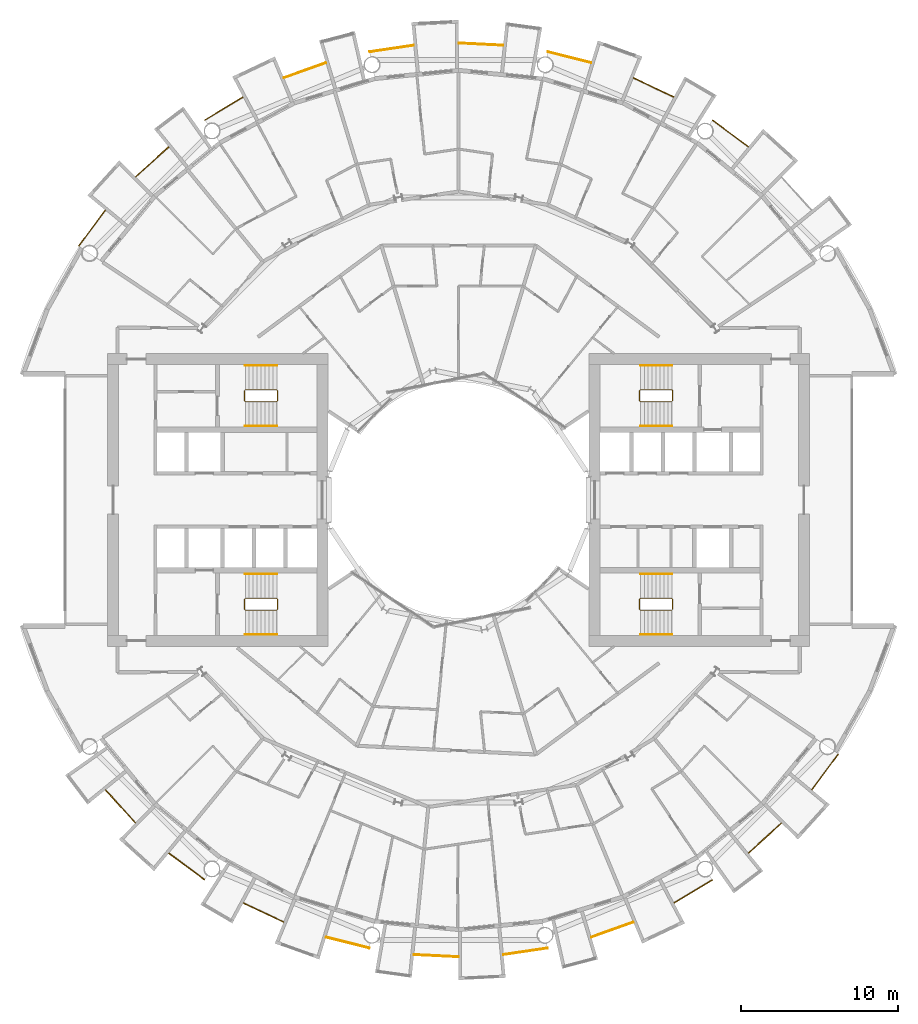
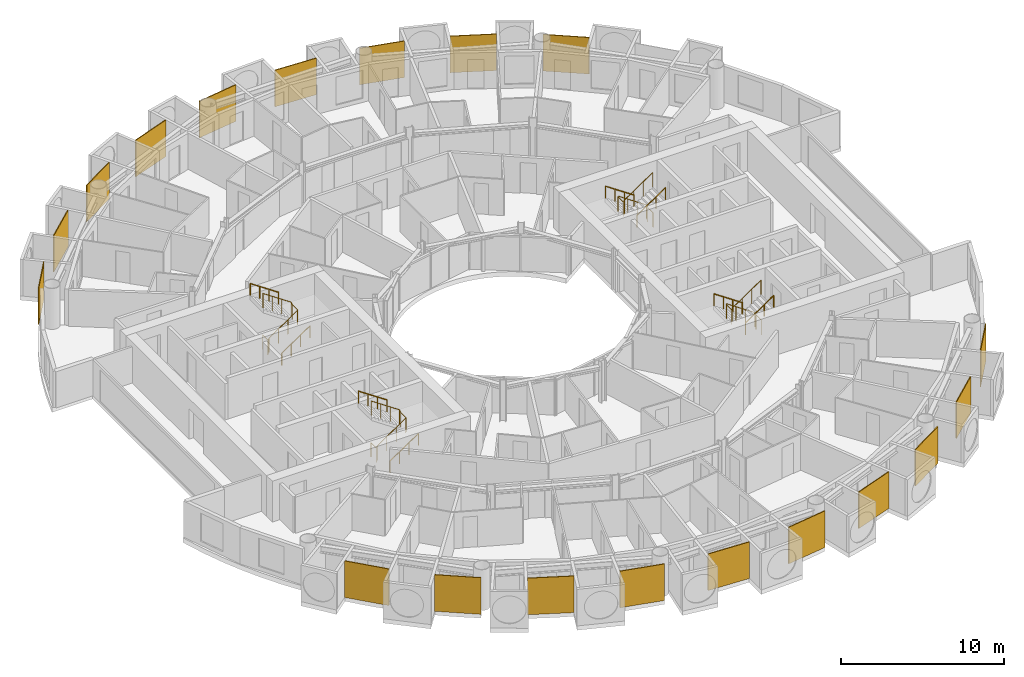
# One storey, part 25 of 26: 31 railings.
"""IFC4 building model written with IfcOpenShell, lengths in metres."""

from ifc_helpers import new_model, si_unit, direction, frame, origin, origin_2d, place, context, subcontext, project, spatial, polyline, circle, outline, extrude, material, layer, layer_set, type_object, element, save


model = new_model("IFC4")

# Units and contexts
model_context = context("Model", 3, precision=1e-05, world=origin(), true_north=direction((0.0, 1.0)))
body_context = subcontext(model_context, "Body", "Model", "MODEL_VIEW")
ifc_project = project(units=[si_unit("LENGTHUNIT", "METRE"), si_unit("AREAUNIT", "SQUARE_METRE"), si_unit("VOLUMEUNIT", "CUBIC_METRE"), si_unit("PLANEANGLEUNIT", "RADIAN"), si_unit("MASSUNIT", "GRAM", prefix="KILO")], contexts=[model_context])

# Site, building, storey
site_placement = place(None, origin())
site = spatial("IfcSite", under=ifc_project, at=site_placement, CompositionType="ELEMENT")
building_placement = place(site_placement, origin())
building = spatial("IfcBuilding", under=site, at=building_placement, Name="Maasbend Ring Residences", CompositionType="ELEMENT")
storey_placement = place(building_placement, frame((0.0, 0.0, 75.800048828125)))
storey = spatial("IfcBuildingStorey", under=building, at=storey_placement, Name="L21", CompositionType="ELEMENT", Elevation=75.800048828125)

# Railings
ifc_material_1 = material(Name="Pale anodised perforated aluminium", Category="aluminium")
ifc_layer = layer(ifc_material_1, 0.06005859375)
ifc_layer_set = layer_set([ifc_layer], Name="SCREEN-P")
railing_type_1 = type_object("IfcRailingType", Name="SCREEN-P", PredefinedType="GUARDRAIL", material=ifc_layer_set)
railing_1_placement = place(storey_placement, frame((0.0, 0.0, -0.030029296875)))
element("IfcRailing", 1, at=railing_1_placement, inside=storey, type_object=railing_type_1, Name="Perforated screen guard 2", PredefinedType="GUARDRAIL", context=body_context, shape_type="SweptSolid", body=[
    extrude(outline(polyline([(18.39697265625, 22.4169921875), (16.112060546875, 24.113037109375), (16.14697265625, 24.160888671875), (18.43310546875, 22.465087890625), (18.39697265625, 22.4169921875)])), origin(), (0.0, 0.0, 1.0), 2.72998046875),
])
railing_2_placement = place(storey_placement, frame((0.0, 0.0, -0.030029296875)))
element("IfcRailing", 2, at=railing_2_placement, inside=storey, type_object=railing_type_1, Name="Perforated screen guard 3", PredefinedType="GUARDRAIL", context=body_context, shape_type="SweptSolid", body=[
    extrude(outline(polyline([(13.6708984375, 25.575927734375), (11.097900390625, 26.79296875), (11.123046875, 26.846923828125), (13.696044921875, 25.6298828125), (13.6708984375, 25.575927734375)])), origin(), (0.0, 0.0, 1.0), 2.72998046875),
])
railing_3_placement = place(storey_placement, frame((0.0, 0.0, -0.030029296875)))
element("IfcRailing", 3, at=railing_3_placement, inside=storey, type_object=railing_type_1, Name="Perforated screen guard 4", PredefinedType="GUARDRAIL", context=body_context, shape_type="SweptSolid", body=[
    extrude(outline(polyline([(8.41796875, 27.7509765625), (5.657958984375, 28.443115234375), (5.672119140625, 28.5009765625), (8.43310546875, 27.80908203125), (8.41796875, 27.7509765625)])), origin(), (0.0, 0.0, 1.0), 2.72998046875),
])
railing_4_placement = place(storey_placement, frame((0.0, 0.0, -0.030029296875)))
element("IfcRailing", 4, at=railing_4_placement, inside=storey, type_object=railing_type_1, Name="Perforated screen guard 5", PredefinedType="GUARDRAIL", context=body_context, shape_type="SweptSolid", body=[
    extrude(outline(polyline([(2.842041015625, 28.860107421875), (0.0, 29.0), (0.0029296875, 29.06005859375), (2.844970703125, 28.919921875), (2.842041015625, 28.860107421875)])), origin(), (0.0, 0.0, 1.0), 2.72998046875),
])
railing_5_placement = place(storey_placement, frame((0.0, 0.0, -0.030029296875)))
element("IfcRailing", 5, at=railing_5_placement, inside=storey, type_object=railing_type_1, Name="Perforated screen guard 6", PredefinedType="GUARDRAIL", context=body_context, shape_type="SweptSolid", body=[
    extrude(outline(polyline([(-2.842041015625, 28.860107421875), (-5.657958984375, 28.443115234375), (-5.666015625, 28.501953125), (-2.85107421875, 28.919921875), (-2.842041015625, 28.860107421875)])), origin(), (0.0, 0.0, 1.0), 2.72998046875),
])
railing_6_placement = place(storey_placement, frame((0.0, 0.0, -0.030029296875)))
element("IfcRailing", 6, at=railing_6_placement, inside=storey, type_object=railing_type_1, Name="Perforated screen guard 7", PredefinedType="GUARDRAIL", context=body_context, shape_type="SweptSolid", body=[
    extrude(outline(polyline([(-8.41796875, 27.7509765625), (-11.097900390625, 26.79296875), (-11.117919921875, 26.84912109375), (-8.43798828125, 27.80810546875), (-8.41796875, 27.7509765625)])), origin(), (0.0, 0.0, 1.0), 2.72998046875),
])
railing_7_placement = place(storey_placement, frame((0.0, 0.0, -0.030029296875)))
element("IfcRailing", 7, at=railing_7_placement, inside=storey, type_object=railing_type_1, Name="Perforated screen guard 8", PredefinedType="GUARDRAIL", context=body_context, shape_type="SweptSolid", body=[
    extrude(outline(polyline([(-13.6708984375, 25.575927734375), (-16.112060546875, 24.113037109375), (-16.14208984375, 24.1640625), (-13.700927734375, 25.626953125), (-13.6708984375, 25.575927734375)])), origin(), (0.0, 0.0, 1.0), 2.72998046875),
])
railing_8_placement = place(storey_placement, frame((0.0, 0.0, -0.030029296875)))
element("IfcRailing", 8, at=railing_8_placement, inside=storey, type_object=railing_type_1, Name="Perforated screen guard 9", PredefinedType="GUARDRAIL", context=body_context, shape_type="SweptSolid", body=[
    extrude(outline(polyline([(-18.39697265625, 22.4169921875), (-20.506103515625, 20.506103515625), (-20.5458984375, 20.551025390625), (-18.43798828125, 22.4619140625), (-18.39697265625, 22.4169921875)])), origin(), (0.0, 0.0, 1.0), 2.72998046875),
])
railing_9_placement = place(storey_placement, frame((0.0, 0.0, -0.030029296875)))
element("IfcRailing", 9, at=railing_9_placement, inside=storey, type_object=railing_type_1, Name="Perforated screen guard 10", PredefinedType="GUARDRAIL", context=body_context, shape_type="SweptSolid", body=[
    extrude(outline(polyline([(-22.4169921875, 18.39697265625), (-24.113037109375, 16.112060546875), (-24.160888671875, 16.14697265625), (-22.465087890625, 18.43310546875), (-22.4169921875, 18.39697265625)])), origin(), (0.0, 0.0, 1.0), 2.72998046875),
])
railing_10_placement = place(storey_placement, frame((0.0, 0.0, -0.030029296875)))
element("IfcRailing", 10, at=railing_10_placement, inside=storey, type_object=railing_type_1, Name="Perforated screen guard 1", PredefinedType="GUARDRAIL", context=body_context, shape_type="SweptSolid", body=[
    extrude(outline(polyline([(-22.4169921875, -18.39697265625), (-20.506103515625, -20.506103515625), (-20.551025390625, -20.5458984375), (-22.4619140625, -18.43798828125), (-22.4169921875, -18.39697265625)])), origin(), (0.0, 0.0, 1.0), 2.72998046875),
])
railing_11_placement = place(storey_placement, frame((0.0, 0.0, -0.030029296875)))
element("IfcRailing", 11, at=railing_11_placement, inside=storey, type_object=railing_type_1, Name="Perforated screen guard 2", PredefinedType="GUARDRAIL", context=body_context, shape_type="SweptSolid", body=[
    extrude(outline(polyline([(-18.39697265625, -22.4169921875), (-16.112060546875, -24.113037109375), (-16.14697265625, -24.160888671875), (-18.43310546875, -22.465087890625), (-18.39697265625, -22.4169921875)])), origin(), (0.0, 0.0, 1.0), 2.72998046875),
])
railing_12_placement = place(storey_placement, frame((0.0, 0.0, -0.030029296875)))
element("IfcRailing", 12, at=railing_12_placement, inside=storey, type_object=railing_type_1, Name="Perforated screen guard 3", PredefinedType="GUARDRAIL", context=body_context, shape_type="SweptSolid", body=[
    extrude(outline(polyline([(-13.6708984375, -25.575927734375), (-11.097900390625, -26.79296875), (-11.123046875, -26.846923828125), (-13.696044921875, -25.6298828125), (-13.6708984375, -25.575927734375)])), origin(), (0.0, 0.0, 1.0), 2.72998046875),
])
railing_13_placement = place(storey_placement, frame((0.0, 0.0, -0.030029296875)))
element("IfcRailing", 13, at=railing_13_placement, inside=storey, type_object=railing_type_1, Name="Perforated screen guard 4", PredefinedType="GUARDRAIL", context=body_context, shape_type="SweptSolid", body=[
    extrude(outline(polyline([(-8.41796875, -27.7509765625), (-5.657958984375, -28.443115234375), (-5.672119140625, -28.5009765625), (-8.43310546875, -27.80908203125), (-8.41796875, -27.7509765625)])), origin(), (0.0, 0.0, 1.0), 2.72998046875),
])
railing_14_placement = place(storey_placement, frame((0.0, 0.0, -0.030029296875)))
element("IfcRailing", 14, at=railing_14_placement, inside=storey, type_object=railing_type_1, Name="Perforated screen guard 5", PredefinedType="GUARDRAIL", context=body_context, shape_type="SweptSolid", body=[
    extrude(outline(polyline([(-2.842041015625, -28.860107421875), (0.0, -29.0), (-0.0029296875, -29.06005859375), (-2.844970703125, -28.919921875), (-2.842041015625, -28.860107421875)])), origin(), (0.0, 0.0, 1.0), 2.72998046875),
])
railing_15_placement = place(storey_placement, frame((0.0, 0.0, -0.030029296875)))
element("IfcRailing", 15, at=railing_15_placement, inside=storey, type_object=railing_type_1, Name="Perforated screen guard 6", PredefinedType="GUARDRAIL", context=body_context, shape_type="SweptSolid", body=[
    extrude(outline(polyline([(2.842041015625, -28.860107421875), (5.657958984375, -28.443115234375), (5.666015625, -28.501953125), (2.85107421875, -28.919921875), (2.842041015625, -28.860107421875)])), origin(), (0.0, 0.0, 1.0), 2.72998046875),
])
railing_16_placement = place(storey_placement, frame((0.0, 0.0, -0.030029296875)))
element("IfcRailing", 16, at=railing_16_placement, inside=storey, type_object=railing_type_1, Name="Perforated screen guard 7", PredefinedType="GUARDRAIL", context=body_context, shape_type="SweptSolid", body=[
    extrude(outline(polyline([(8.41796875, -27.7509765625), (11.097900390625, -26.79296875), (11.117919921875, -26.84912109375), (8.43798828125, -27.80810546875), (8.41796875, -27.7509765625)])), origin(), (0.0, 0.0, 1.0), 2.72998046875),
])
railing_17_placement = place(storey_placement, frame((0.0, 0.0, -0.030029296875)))
element("IfcRailing", 17, at=railing_17_placement, inside=storey, type_object=railing_type_1, Name="Perforated screen guard 8", PredefinedType="GUARDRAIL", context=body_context, shape_type="SweptSolid", body=[
    extrude(outline(polyline([(13.6708984375, -25.575927734375), (16.112060546875, -24.113037109375), (16.14208984375, -24.1640625), (13.700927734375, -25.626953125), (13.6708984375, -25.575927734375)])), origin(), (0.0, 0.0, 1.0), 2.72998046875),
])
railing_18_placement = place(storey_placement, frame((0.0, 0.0, -0.030029296875)))
element("IfcRailing", 18, at=railing_18_placement, inside=storey, type_object=railing_type_1, Name="Perforated screen guard 9", PredefinedType="GUARDRAIL", context=body_context, shape_type="SweptSolid", body=[
    extrude(outline(polyline([(18.39697265625, -22.4169921875), (20.506103515625, -20.506103515625), (20.5458984375, -20.551025390625), (18.43798828125, -22.4619140625), (18.39697265625, -22.4169921875)])), origin(), (0.0, 0.0, 1.0), 2.72998046875),
])
railing_19_placement = place(storey_placement, frame((0.0, 0.0, -0.030029296875)))
element("IfcRailing", 19, at=railing_19_placement, inside=storey, type_object=railing_type_1, Name="Perforated screen guard 10", PredefinedType="GUARDRAIL", context=body_context, shape_type="SweptSolid", body=[
    extrude(outline(polyline([(22.4169921875, -18.39697265625), (24.113037109375, -16.112060546875), (24.160888671875, -16.14697265625), (22.465087890625, -18.43310546875), (22.4169921875, -18.39697265625)])), origin(), (0.0, 0.0, 1.0), 2.72998046875),
])
ifc_material_2 = material(Name="Stainless steel 316", Category="steel")
railing_type_2 = type_object("IfcRailingType", Name="STAIR GUARD 1100", PredefinedType="GUARDRAIL", material=ifc_material_2)
railing_20_placement = place(storey_placement, frame((13.60009765625, 6.300048828125, 0.0)))
element("IfcRailing", 20, at=railing_20_placement, inside=storey, type_object=railing_type_2, Name="L21 ST-E1 stair guard 1", PredefinedType="GUARDRAIL", context=body_context, shape_type="SweptSolid", body=[
    extrude(circle(Radius=0.02392578125, at=origin_2d()), frame((0.0, 0.0, 1.076171875), z_axis=(0.0, 1.0, 0.0), x_axis=(-1.0, 0.0, 0.0)), (0.0, 0.0, 1.0), 0.64990234375),
    extrude(circle(Radius=0.02392578125, at=origin_2d()), frame((0.0, 0.64990234375, 1.076171875), z_axis=(-0.272562526181, 0.272562526181, 0.92272386912), x_axis=(-0.707106781187, -0.707106781187, 0.0)), (0.0, 0.0, 1.0), 0.18359375),
    extrude(circle(Radius=0.02392578125, at=origin_2d()), frame((-0.050048828125, 0.699951171875, 1.24560546875), z_axis=(-0.827797584762, 0.0, 0.561026878735), x_axis=(0.0, -1.0, 0.0)), (0.0, 0.0, 1.0), 2.416015625),
    extrude(circle(Radius=0.02392578125, at=origin_2d()), frame((-2.050048828125, 0.699951171875, 2.60107421875), z_axis=(-0.707106781187, -0.707106781187, 0.0), x_axis=(0.707106781187, -0.707106781187, 0.0)), (0.0, 0.0, 1.0), 0.07080078125),
    extrude(circle(Radius=0.02392578125, at=origin_2d()), frame((-2.10009765625, 0.64990234375, 2.60107421875), z_axis=(0.0, -1.0, 0.0), x_axis=(1.0, 0.0, 0.0)), (0.0, 0.0, 1.0), 0.64990234375),
    extrude(circle(Radius=0.02392578125, at=origin_2d()), frame((-2.10009765625, 0.0, 2.60107421875), z_axis=(0.272562526181, -0.272562526181, 0.92272386912), x_axis=(0.707106781187, 0.707106781187, 0.0)), (0.0, 0.0, 1.0), 0.18359375),
    extrude(circle(Radius=0.02392578125, at=origin_2d()), frame((-2.050048828125, -0.050048828125, 2.7705078125), z_axis=(0.827750655447, 0.0, 0.561096116906), x_axis=(0.0, 1.0, 0.0)), (0.0, 0.0, 1.0), 2.416259765625),
    extrude(circle(Radius=0.02099609375, at=origin_2d()), origin(), (0.0, 0.0, 1.0), 1.052001953125),
    extrude(circle(Radius=0.02099609375, at=origin_2d()), frame((0.0, 0.64990234375, 0.0)), (0.0, 0.0, 1.0), 1.052001953125),
    extrude(circle(Radius=0.02099609375, at=origin_2d()), frame((-0.050048828125, 0.699951171875, 0.16943359375)), (0.0, 0.0, 1.0), 1.052001953125),
    extrude(circle(Radius=0.02099609375, at=origin_2d()), frame((-0.716796875, 0.699951171875, 0.621337890625)), (0.0, 0.0, 1.0), 1.052001953125),
    extrude(circle(Radius=0.02099609375, at=origin_2d()), frame((-1.38330078125, 0.699951171875, 1.072998046875)), (0.0, 0.0, 1.0), 1.052001953125),
    extrude(circle(Radius=0.02099609375, at=origin_2d()), frame((-2.050048828125, 0.699951171875, 1.52490234375)), (0.0, 0.0, 1.0), 1.052001953125),
    extrude(circle(Radius=0.02099609375, at=origin_2d()), frame((-2.10009765625, 0.64990234375, 1.52490234375)), (0.0, 0.0, 1.0), 1.052001953125),
    extrude(circle(Radius=0.02099609375, at=origin_2d()), frame((-2.10009765625, 0.0, 1.52490234375)), (0.0, 0.0, 1.0), 1.052001953125),
    extrude(circle(Radius=0.02099609375, at=origin_2d()), frame((-2.050048828125, -0.050048828125, 1.6943359375)), (0.0, 0.0, 1.0), 1.052001953125),
    extrude(circle(Radius=0.02099609375, at=origin_2d()), frame((-1.38330078125, -0.050048828125, 2.146240234375)), (0.0, 0.0, 1.0), 1.052001953125),
    extrude(circle(Radius=0.02099609375, at=origin_2d()), frame((-0.716796875, -0.050048828125, 2.59814453125)), (0.0, 0.0, 1.0), 1.052001953125),
    extrude(circle(Radius=0.02099609375, at=origin_2d()), frame((-0.050048828125, -0.050048828125, 3.050048828125)), (0.0, 0.0, 1.0), 1.052001953125),
])
railing_21_placement = place(storey_placement, frame((13.60009765625, -6.949951171875, 0.0)))
element("IfcRailing", 21, at=railing_21_placement, inside=storey, type_object=railing_type_2, Name="L21 ST-E2 stair guard 1", PredefinedType="GUARDRAIL", context=body_context, shape_type="SweptSolid", body=[
    extrude(circle(Radius=0.02392578125, at=origin_2d()), frame((0.0, 0.0, 1.076171875), z_axis=(0.0, 1.0, 0.0), x_axis=(-1.0, 0.0, 0.0)), (0.0, 0.0, 1.0), 0.64990234375),
    extrude(circle(Radius=0.02392578125, at=origin_2d()), frame((0.0, 0.64990234375, 1.076171875), z_axis=(-0.272562526181, 0.272562526181, 0.92272386912), x_axis=(-0.707106781187, -0.707106781187, 0.0)), (0.0, 0.0, 1.0), 0.18359375),
    extrude(circle(Radius=0.02392578125, at=origin_2d()), frame((-0.050048828125, 0.699951171875, 1.24560546875), z_axis=(-0.827797584762, 0.0, 0.561026878735), x_axis=(0.0, -1.0, 0.0)), (0.0, 0.0, 1.0), 2.416015625),
    extrude(circle(Radius=0.02392578125, at=origin_2d()), frame((-2.050048828125, 0.699951171875, 2.60107421875), z_axis=(-0.707106781187, -0.707106781187, 0.0), x_axis=(0.707106781187, -0.707106781187, 0.0)), (0.0, 0.0, 1.0), 0.07080078125),
    extrude(circle(Radius=0.02392578125, at=origin_2d()), frame((-2.10009765625, 0.64990234375, 2.60107421875), z_axis=(0.0, -1.0, 0.0), x_axis=(1.0, 0.0, 0.0)), (0.0, 0.0, 1.0), 0.64990234375),
    extrude(circle(Radius=0.02392578125, at=origin_2d()), frame((-2.10009765625, 0.0, 2.60107421875), z_axis=(0.272562526181, -0.272562526181, 0.92272386912), x_axis=(0.707106781187, 0.707106781187, 0.0)), (0.0, 0.0, 1.0), 0.18359375),
    extrude(circle(Radius=0.02392578125, at=origin_2d()), frame((-2.050048828125, -0.050048828125, 2.7705078125), z_axis=(0.827750655447, 0.0, 0.561096116906), x_axis=(0.0, 1.0, 0.0)), (0.0, 0.0, 1.0), 2.416259765625),
    extrude(circle(Radius=0.02099609375, at=origin_2d()), origin(), (0.0, 0.0, 1.0), 1.052001953125),
    extrude(circle(Radius=0.02099609375, at=origin_2d()), frame((0.0, 0.64990234375, 0.0)), (0.0, 0.0, 1.0), 1.052001953125),
    extrude(circle(Radius=0.02099609375, at=origin_2d()), frame((-0.050048828125, 0.699951171875, 0.16943359375)), (0.0, 0.0, 1.0), 1.052001953125),
    extrude(circle(Radius=0.02099609375, at=origin_2d()), frame((-0.716796875, 0.699951171875, 0.621337890625)), (0.0, 0.0, 1.0), 1.052001953125),
    extrude(circle(Radius=0.02099609375, at=origin_2d()), frame((-1.38330078125, 0.699951171875, 1.072998046875)), (0.0, 0.0, 1.0), 1.052001953125),
    extrude(circle(Radius=0.02099609375, at=origin_2d()), frame((-2.050048828125, 0.699951171875, 1.52490234375)), (0.0, 0.0, 1.0), 1.052001953125),
    extrude(circle(Radius=0.02099609375, at=origin_2d()), frame((-2.10009765625, 0.64990234375, 1.52490234375)), (0.0, 0.0, 1.0), 1.052001953125),
    extrude(circle(Radius=0.02099609375, at=origin_2d()), frame((-2.10009765625, 0.0, 1.52490234375)), (0.0, 0.0, 1.0), 1.052001953125),
    extrude(circle(Radius=0.02099609375, at=origin_2d()), frame((-2.050048828125, -0.050048828125, 1.6943359375)), (0.0, 0.0, 1.0), 1.052001953125),
    extrude(circle(Radius=0.02099609375, at=origin_2d()), frame((-1.38330078125, -0.050048828125, 2.146240234375)), (0.0, 0.0, 1.0), 1.052001953125),
    extrude(circle(Radius=0.02099609375, at=origin_2d()), frame((-0.716796875, -0.050048828125, 2.59814453125)), (0.0, 0.0, 1.0), 1.052001953125),
    extrude(circle(Radius=0.02099609375, at=origin_2d()), frame((-0.050048828125, -0.050048828125, 3.050048828125)), (0.0, 0.0, 1.0), 1.052001953125),
])
railing_22_placement = place(storey_placement, frame((-13.60009765625, -6.300048828125, 0.0)))
element("IfcRailing", 22, at=railing_22_placement, inside=storey, type_object=railing_type_2, Name="L21 ST-W1 stair guard 1", PredefinedType="GUARDRAIL", context=body_context, shape_type="SweptSolid", body=[
    extrude(circle(Radius=0.02392578125, at=origin_2d()), frame((0.0, 0.0, 1.076171875), z_axis=(0.0, -1.0, 0.0), x_axis=(1.0, 0.0, 0.0)), (0.0, 0.0, 1.0), 0.64990234375),
    extrude(circle(Radius=0.02392578125, at=origin_2d()), frame((0.0, -0.64990234375, 1.076171875), z_axis=(0.272562526181, -0.272562526181, 0.92272386912), x_axis=(0.707106781187, 0.707106781187, 0.0)), (0.0, 0.0, 1.0), 0.18359375),
    extrude(circle(Radius=0.02392578125, at=origin_2d()), frame((0.050048828125, -0.699951171875, 1.24560546875), z_axis=(0.827797584762, 0.0, 0.561026878735), x_axis=(0.0, 1.0, 0.0)), (0.0, 0.0, 1.0), 2.416015625),
    extrude(circle(Radius=0.02392578125, at=origin_2d()), frame((2.050048828125, -0.699951171875, 2.60107421875), z_axis=(0.707106781187, 0.707106781187, 0.0), x_axis=(-0.707106781187, 0.707106781187, 0.0)), (0.0, 0.0, 1.0), 0.07080078125),
    extrude(circle(Radius=0.02392578125, at=origin_2d()), frame((2.10009765625, -0.64990234375, 2.60107421875), z_axis=(0.0, 1.0, 0.0), x_axis=(-1.0, 0.0, 0.0)), (0.0, 0.0, 1.0), 0.64990234375),
    extrude(circle(Radius=0.02392578125, at=origin_2d()), frame((2.10009765625, 0.0, 2.60107421875), z_axis=(-0.272562526181, 0.272562526181, 0.92272386912), x_axis=(-0.707106781187, -0.707106781187, 0.0)), (0.0, 0.0, 1.0), 0.18359375),
    extrude(circle(Radius=0.02392578125, at=origin_2d()), frame((2.050048828125, 0.050048828125, 2.7705078125), z_axis=(-0.827750655447, 0.0, 0.561096116906), x_axis=(0.0, -1.0, 0.0)), (0.0, 0.0, 1.0), 2.416259765625),
    extrude(circle(Radius=0.02099609375, at=origin_2d()), origin(), (0.0, 0.0, 1.0), 1.052001953125),
    extrude(circle(Radius=0.02099609375, at=origin_2d()), frame((0.0, -0.64990234375, 0.0)), (0.0, 0.0, 1.0), 1.052001953125),
    extrude(circle(Radius=0.02099609375, at=origin_2d()), frame((0.050048828125, -0.699951171875, 0.16943359375)), (0.0, 0.0, 1.0), 1.052001953125),
    extrude(circle(Radius=0.02099609375, at=origin_2d()), frame((0.716796875, -0.699951171875, 0.621337890625)), (0.0, 0.0, 1.0), 1.052001953125),
    extrude(circle(Radius=0.02099609375, at=origin_2d()), frame((1.38330078125, -0.699951171875, 1.072998046875)), (0.0, 0.0, 1.0), 1.052001953125),
    extrude(circle(Radius=0.02099609375, at=origin_2d()), frame((2.050048828125, -0.699951171875, 1.52490234375)), (0.0, 0.0, 1.0), 1.052001953125),
    extrude(circle(Radius=0.02099609375, at=origin_2d()), frame((2.10009765625, -0.64990234375, 1.52490234375)), (0.0, 0.0, 1.0), 1.052001953125),
    extrude(circle(Radius=0.02099609375, at=origin_2d()), frame((2.10009765625, 0.0, 1.52490234375)), (0.0, 0.0, 1.0), 1.052001953125),
    extrude(circle(Radius=0.02099609375, at=origin_2d()), frame((2.050048828125, 0.050048828125, 1.6943359375)), (0.0, 0.0, 1.0), 1.052001953125),
    extrude(circle(Radius=0.02099609375, at=origin_2d()), frame((1.38330078125, 0.050048828125, 2.146240234375)), (0.0, 0.0, 1.0), 1.052001953125),
    extrude(circle(Radius=0.02099609375, at=origin_2d()), frame((0.716796875, 0.050048828125, 2.59814453125)), (0.0, 0.0, 1.0), 1.052001953125),
    extrude(circle(Radius=0.02099609375, at=origin_2d()), frame((0.050048828125, 0.050048828125, 3.050048828125)), (0.0, 0.0, 1.0), 1.052001953125),
])
railing_23_placement = place(storey_placement, frame((-13.60009765625, 6.949951171875, 0.0)))
element("IfcRailing", 23, at=railing_23_placement, inside=storey, type_object=railing_type_2, Name="L21 ST-W2 stair guard 1", PredefinedType="GUARDRAIL", context=body_context, shape_type="SweptSolid", body=[
    extrude(circle(Radius=0.02392578125, at=origin_2d()), frame((0.0, 0.0, 1.076171875), z_axis=(0.0, -1.0, 0.0), x_axis=(1.0, 0.0, 0.0)), (0.0, 0.0, 1.0), 0.64990234375),
    extrude(circle(Radius=0.02392578125, at=origin_2d()), frame((0.0, -0.64990234375, 1.076171875), z_axis=(0.272562526181, -0.272562526181, 0.92272386912), x_axis=(0.707106781187, 0.707106781187, 0.0)), (0.0, 0.0, 1.0), 0.18359375),
    extrude(circle(Radius=0.02392578125, at=origin_2d()), frame((0.050048828125, -0.699951171875, 1.24560546875), z_axis=(0.827797584762, 0.0, 0.561026878735), x_axis=(0.0, 1.0, 0.0)), (0.0, 0.0, 1.0), 2.416015625),
    extrude(circle(Radius=0.02392578125, at=origin_2d()), frame((2.050048828125, -0.699951171875, 2.60107421875), z_axis=(0.707106781187, 0.707106781187, 0.0), x_axis=(-0.707106781187, 0.707106781187, 0.0)), (0.0, 0.0, 1.0), 0.07080078125),
    extrude(circle(Radius=0.02392578125, at=origin_2d()), frame((2.10009765625, -0.64990234375, 2.60107421875), z_axis=(0.0, 1.0, 0.0), x_axis=(-1.0, 0.0, 0.0)), (0.0, 0.0, 1.0), 0.64990234375),
    extrude(circle(Radius=0.02392578125, at=origin_2d()), frame((2.10009765625, 0.0, 2.60107421875), z_axis=(-0.272562526181, 0.272562526181, 0.92272386912), x_axis=(-0.707106781187, -0.707106781187, 0.0)), (0.0, 0.0, 1.0), 0.18359375),
    extrude(circle(Radius=0.02392578125, at=origin_2d()), frame((2.050048828125, 0.050048828125, 2.7705078125), z_axis=(-0.827750655447, 0.0, 0.561096116906), x_axis=(0.0, -1.0, 0.0)), (0.0, 0.0, 1.0), 2.416259765625),
    extrude(circle(Radius=0.02099609375, at=origin_2d()), origin(), (0.0, 0.0, 1.0), 1.052001953125),
    extrude(circle(Radius=0.02099609375, at=origin_2d()), frame((0.0, -0.64990234375, 0.0)), (0.0, 0.0, 1.0), 1.052001953125),
    extrude(circle(Radius=0.02099609375, at=origin_2d()), frame((0.050048828125, -0.699951171875, 0.16943359375)), (0.0, 0.0, 1.0), 1.052001953125),
    extrude(circle(Radius=0.02099609375, at=origin_2d()), frame((0.716796875, -0.699951171875, 0.621337890625)), (0.0, 0.0, 1.0), 1.052001953125),
    extrude(circle(Radius=0.02099609375, at=origin_2d()), frame((1.38330078125, -0.699951171875, 1.072998046875)), (0.0, 0.0, 1.0), 1.052001953125),
    extrude(circle(Radius=0.02099609375, at=origin_2d()), frame((2.050048828125, -0.699951171875, 1.52490234375)), (0.0, 0.0, 1.0), 1.052001953125),
    extrude(circle(Radius=0.02099609375, at=origin_2d()), frame((2.10009765625, -0.64990234375, 1.52490234375)), (0.0, 0.0, 1.0), 1.052001953125),
    extrude(circle(Radius=0.02099609375, at=origin_2d()), frame((2.10009765625, 0.0, 1.52490234375)), (0.0, 0.0, 1.0), 1.052001953125),
    extrude(circle(Radius=0.02099609375, at=origin_2d()), frame((2.050048828125, 0.050048828125, 1.6943359375)), (0.0, 0.0, 1.0), 1.052001953125),
    extrude(circle(Radius=0.02099609375, at=origin_2d()), frame((1.38330078125, 0.050048828125, 2.146240234375)), (0.0, 0.0, 1.0), 1.052001953125),
    extrude(circle(Radius=0.02099609375, at=origin_2d()), frame((0.716796875, 0.050048828125, 2.59814453125)), (0.0, 0.0, 1.0), 1.052001953125),
    extrude(circle(Radius=0.02099609375, at=origin_2d()), frame((0.050048828125, 0.050048828125, 3.050048828125)), (0.0, 0.0, 1.0), 1.052001953125),
])
ifc_material_3 = material(Name="Stainless steel 316", Category="steel")
railing_type_3 = type_object("IfcRailingType", Name="STAIR HANDRAIL 900", PredefinedType="HANDRAIL", material=ifc_material_3)
railing_24_placement = place(storey_placement, frame((13.550048828125, 8.550048828125, 0.16943359375)))
element("IfcRailing", 24, at=railing_24_placement, inside=storey, type_object=railing_type_3, Name="L21 ST-E1 stair handrail 1", PredefinedType="HANDRAIL", context=body_context, shape_type="SweptSolid", body=[
    extrude(circle(Radius=0.02392578125, at=origin_2d()), frame((0.0, 0.0, 0.8759765625), z_axis=(-0.827797584762, 0.0, 0.561026878735), x_axis=(0.0, -1.0, 0.0)), (0.0, 0.0, 1.0), 2.416015625),
    extrude(circle(Radius=0.02099609375, at=origin_2d()), origin(), (0.0, 0.0, 1.0), 0.851806640625),
    extrude(circle(Radius=0.02099609375, at=origin_2d()), frame((-0.666748046875, 0.0, 0.451904296875)), (0.0, 0.0, 1.0), 0.851806640625),
    extrude(circle(Radius=0.02099609375, at=origin_2d()), frame((-1.333251953125, 0.0, 0.903564453125)), (0.0, 0.0, 1.0), 0.851806640625),
    extrude(circle(Radius=0.02099609375, at=origin_2d()), frame((-2.0, 0.0, 1.35546875)), (0.0, 0.0, 1.0), 0.851806640625),
])
railing_25_placement = place(storey_placement, frame((11.550048828125, 4.699951171875, 1.6943359375)))
element("IfcRailing", 25, at=railing_25_placement, inside=storey, type_object=railing_type_3, Name="L21 ST-E1 stair handrail 2", PredefinedType="HANDRAIL", context=body_context, shape_type="SweptSolid", body=[
    extrude(circle(Radius=0.02392578125, at=origin_2d()), frame((0.0, 0.0, 0.8759765625), z_axis=(0.827750655447, 0.0, 0.561096116906), x_axis=(0.0, 1.0, 0.0)), (0.0, 0.0, 1.0), 2.416259765625),
    extrude(circle(Radius=0.02099609375, at=origin_2d()), origin(), (0.0, 0.0, 1.0), 0.851806640625),
    extrude(circle(Radius=0.02099609375, at=origin_2d()), frame((0.666748046875, 0.0, 0.451904296875)), (0.0, 0.0, 1.0), 0.851806640625),
    extrude(circle(Radius=0.02099609375, at=origin_2d()), frame((1.333251953125, 0.0, 0.90380859375)), (0.0, 0.0, 1.0), 0.851806640625),
    extrude(circle(Radius=0.02099609375, at=origin_2d()), frame((2.0, 0.0, 1.355712890625)), (0.0, 0.0, 1.0), 0.851806640625),
])
railing_26_placement = place(storey_placement, frame((13.550048828125, -4.699951171875, 0.16943359375)))
element("IfcRailing", 26, at=railing_26_placement, inside=storey, type_object=railing_type_3, Name="L21 ST-E2 stair handrail 1", PredefinedType="HANDRAIL", context=body_context, shape_type="SweptSolid", body=[
    extrude(circle(Radius=0.02392578125, at=origin_2d()), frame((0.0, 0.0, 0.8759765625), z_axis=(-0.827797584762, 0.0, 0.561026878735), x_axis=(0.0, -1.0, 0.0)), (0.0, 0.0, 1.0), 2.416015625),
    extrude(circle(Radius=0.02099609375, at=origin_2d()), origin(), (0.0, 0.0, 1.0), 0.851806640625),
    extrude(circle(Radius=0.02099609375, at=origin_2d()), frame((-0.666748046875, 0.0, 0.451904296875)), (0.0, 0.0, 1.0), 0.851806640625),
    extrude(circle(Radius=0.02099609375, at=origin_2d()), frame((-1.333251953125, 0.0, 0.903564453125)), (0.0, 0.0, 1.0), 0.851806640625),
    extrude(circle(Radius=0.02099609375, at=origin_2d()), frame((-2.0, 0.0, 1.35546875)), (0.0, 0.0, 1.0), 0.851806640625),
])
railing_27_placement = place(storey_placement, frame((11.550048828125, -8.550048828125, 1.6943359375)))
element("IfcRailing", 27, at=railing_27_placement, inside=storey, type_object=railing_type_3, Name="L21 ST-E2 stair handrail 2", PredefinedType="HANDRAIL", context=body_context, shape_type="SweptSolid", body=[
    extrude(circle(Radius=0.02392578125, at=origin_2d()), frame((0.0, 0.0, 0.8759765625), z_axis=(0.827750655447, 0.0, 0.561096116906), x_axis=(0.0, 1.0, 0.0)), (0.0, 0.0, 1.0), 2.416259765625),
    extrude(circle(Radius=0.02099609375, at=origin_2d()), origin(), (0.0, 0.0, 1.0), 0.851806640625),
    extrude(circle(Radius=0.02099609375, at=origin_2d()), frame((0.666748046875, 0.0, 0.451904296875)), (0.0, 0.0, 1.0), 0.851806640625),
    extrude(circle(Radius=0.02099609375, at=origin_2d()), frame((1.333251953125, 0.0, 0.90380859375)), (0.0, 0.0, 1.0), 0.851806640625),
    extrude(circle(Radius=0.02099609375, at=origin_2d()), frame((2.0, 0.0, 1.355712890625)), (0.0, 0.0, 1.0), 0.851806640625),
])
railing_28_placement = place(storey_placement, frame((-13.550048828125, -8.550048828125, 0.16943359375)))
element("IfcRailing", 28, at=railing_28_placement, inside=storey, type_object=railing_type_3, Name="L21 ST-W1 stair handrail 1", PredefinedType="HANDRAIL", context=body_context, shape_type="SweptSolid", body=[
    extrude(circle(Radius=0.02392578125, at=origin_2d()), frame((0.0, 0.0, 0.8759765625), z_axis=(0.827797584762, 0.0, 0.561026878735), x_axis=(0.0, 1.0, 0.0)), (0.0, 0.0, 1.0), 2.416015625),
    extrude(circle(Radius=0.02099609375, at=origin_2d()), origin(), (0.0, 0.0, 1.0), 0.851806640625),
    extrude(circle(Radius=0.02099609375, at=origin_2d()), frame((0.666748046875, 0.0, 0.451904296875)), (0.0, 0.0, 1.0), 0.851806640625),
    extrude(circle(Radius=0.02099609375, at=origin_2d()), frame((1.333251953125, 0.0, 0.903564453125)), (0.0, 0.0, 1.0), 0.851806640625),
    extrude(circle(Radius=0.02099609375, at=origin_2d()), frame((2.0, 0.0, 1.35546875)), (0.0, 0.0, 1.0), 0.851806640625),
])
railing_29_placement = place(storey_placement, frame((-11.550048828125, -4.699951171875, 1.6943359375)))
element("IfcRailing", 29, at=railing_29_placement, inside=storey, type_object=railing_type_3, Name="L21 ST-W1 stair handrail 2", PredefinedType="HANDRAIL", context=body_context, shape_type="SweptSolid", body=[
    extrude(circle(Radius=0.02392578125, at=origin_2d()), frame((0.0, 0.0, 0.8759765625), z_axis=(-0.827750655447, 0.0, 0.561096116906), x_axis=(0.0, -1.0, 0.0)), (0.0, 0.0, 1.0), 2.416259765625),
    extrude(circle(Radius=0.02099609375, at=origin_2d()), origin(), (0.0, 0.0, 1.0), 0.851806640625),
    extrude(circle(Radius=0.02099609375, at=origin_2d()), frame((-0.666748046875, 0.0, 0.451904296875)), (0.0, 0.0, 1.0), 0.851806640625),
    extrude(circle(Radius=0.02099609375, at=origin_2d()), frame((-1.333251953125, 0.0, 0.90380859375)), (0.0, 0.0, 1.0), 0.851806640625),
    extrude(circle(Radius=0.02099609375, at=origin_2d()), frame((-2.0, 0.0, 1.355712890625)), (0.0, 0.0, 1.0), 0.851806640625),
])
railing_30_placement = place(storey_placement, frame((-13.550048828125, 4.699951171875, 0.16943359375)))
element("IfcRailing", 30, at=railing_30_placement, inside=storey, type_object=railing_type_3, Name="L21 ST-W2 stair handrail 1", PredefinedType="HANDRAIL", context=body_context, shape_type="SweptSolid", body=[
    extrude(circle(Radius=0.02392578125, at=origin_2d()), frame((0.0, 0.0, 0.8759765625), z_axis=(0.827797584762, 0.0, 0.561026878735), x_axis=(0.0, 1.0, 0.0)), (0.0, 0.0, 1.0), 2.416015625),
    extrude(circle(Radius=0.02099609375, at=origin_2d()), origin(), (0.0, 0.0, 1.0), 0.851806640625),
    extrude(circle(Radius=0.02099609375, at=origin_2d()), frame((0.666748046875, 0.0, 0.451904296875)), (0.0, 0.0, 1.0), 0.851806640625),
    extrude(circle(Radius=0.02099609375, at=origin_2d()), frame((1.333251953125, 0.0, 0.903564453125)), (0.0, 0.0, 1.0), 0.851806640625),
    extrude(circle(Radius=0.02099609375, at=origin_2d()), frame((2.0, 0.0, 1.35546875)), (0.0, 0.0, 1.0), 0.851806640625),
])
railing_31_placement = place(storey_placement, frame((-11.550048828125, 8.550048828125, 1.6943359375)))
element("IfcRailing", 31, at=railing_31_placement, inside=storey, type_object=railing_type_3, Name="L21 ST-W2 stair handrail 2", PredefinedType="HANDRAIL", context=body_context, shape_type="SweptSolid", body=[
    extrude(circle(Radius=0.02392578125, at=origin_2d()), frame((0.0, 0.0, 0.8759765625), z_axis=(-0.827750655447, 0.0, 0.561096116906), x_axis=(0.0, -1.0, 0.0)), (0.0, 0.0, 1.0), 2.416259765625),
    extrude(circle(Radius=0.02099609375, at=origin_2d()), origin(), (0.0, 0.0, 1.0), 0.851806640625),
    extrude(circle(Radius=0.02099609375, at=origin_2d()), frame((-0.666748046875, 0.0, 0.451904296875)), (0.0, 0.0, 1.0), 0.851806640625),
    extrude(circle(Radius=0.02099609375, at=origin_2d()), frame((-1.333251953125, 0.0, 0.90380859375)), (0.0, 0.0, 1.0), 0.851806640625),
    extrude(circle(Radius=0.02099609375, at=origin_2d()), frame((-2.0, 0.0, 1.355712890625)), (0.0, 0.0, 1.0), 0.851806640625),
])

save(model, "model.ifc")
